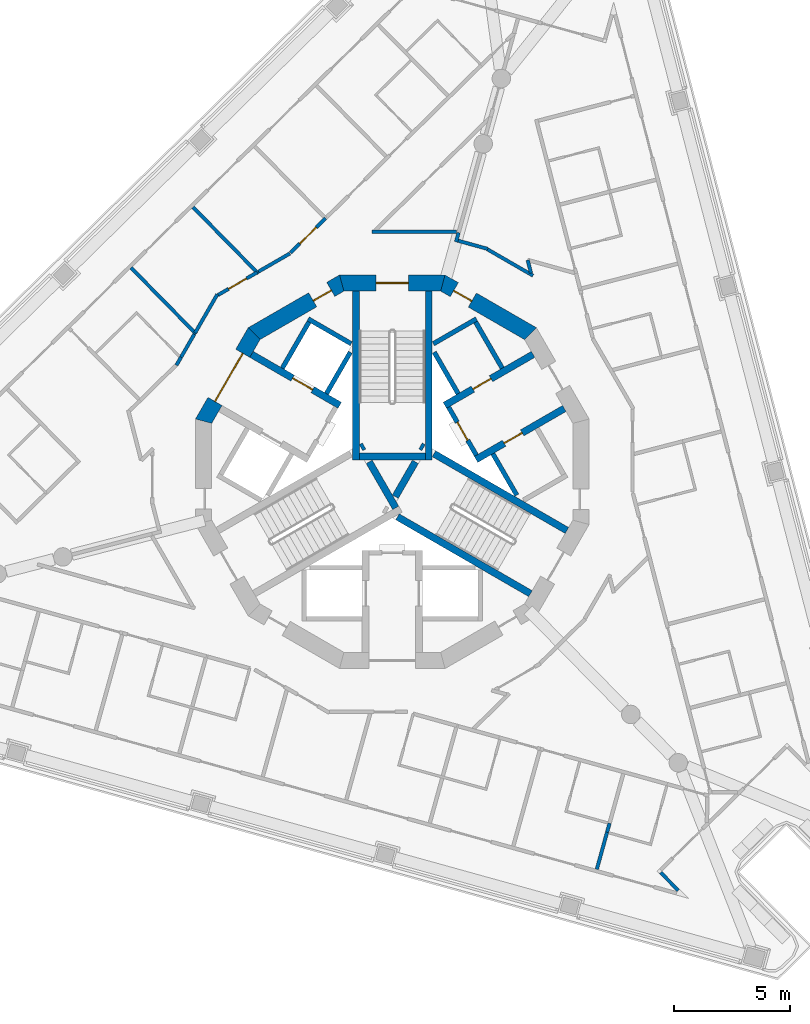
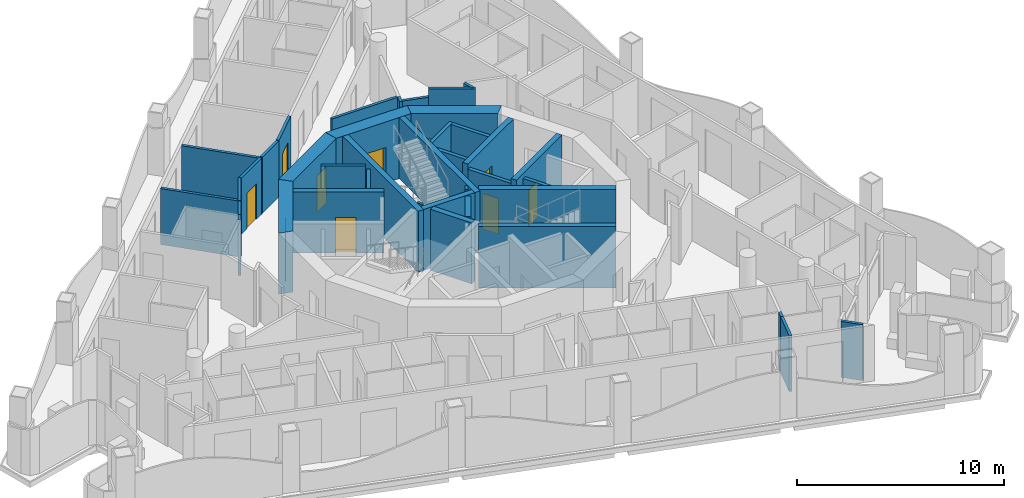
# One storey, part 5 of 15: 40 walls, 10 doors, 10 openings.
"""IFC4 building model written with IfcOpenShell, lengths in metres."""

from ifc_helpers import new_model, si_unit, direction, frame, frame_2d, origin, place, context, subcontext, project, spatial, polyline, rectangle, outline, extrude, material, layer, layer_set, type_object, element, fill, save


model = new_model("IFC4")

# Units and contexts
model_context = context("Model", 3, precision=1e-05, world=origin(), true_north=direction((0.0, 1.0)))
body_context = subcontext(model_context, "Body", "Model", "MODEL_VIEW")
ifc_project = project(units=[si_unit("LENGTHUNIT", "METRE"), si_unit("AREAUNIT", "SQUARE_METRE"), si_unit("VOLUMEUNIT", "CUBIC_METRE"), si_unit("PLANEANGLEUNIT", "RADIAN"), si_unit("MASSUNIT", "GRAM", prefix="KILO")], contexts=[model_context])

# Site, building, storey
site_placement = place(None, origin())
site = spatial("IfcSite", under=ifc_project, at=site_placement, CompositionType="ELEMENT")
building_placement = place(site_placement, origin())
building = spatial("IfcBuilding", under=site, at=building_placement, Name="Trine Commons Tower", CompositionType="ELEMENT")
storey_placement = place(building_placement, frame((0.0, 0.0, 260.10009765625)))
storey = spatial("IfcBuildingStorey", under=building, at=storey_placement, Name="L68", CompositionType="ELEMENT", Elevation=260.10009765625)

# Wall
ifc_material_1 = material(Name="Aluminium-framed insulated wall panel", Category="aluminium")
ifc_layer_1 = layer(ifc_material_1, 0.14990234375)
ifc_layer_set_1 = layer_set([ifc_layer_1], Name="Aluminium-framed insulated wall panel")
wall_type_1 = type_object("IfcWallType", Name="Glazed frame wall 150, EI 60", PredefinedType="SOLIDWALL", material=ifc_layer_set_1)
wall_1_placement = place(storey_placement, frame((91.510498046875, 45.2724609375, 0.0), z_axis=(0.0, 0.0, 1.0), x_axis=(0.700999978355, -0.71316129336, 0.0)))
element("IfcWall", 1, at=wall_1_placement, inside=storey, type_object=wall_type_1, Name="Glazed frame wall R8", PredefinedType="SOLIDWALL", context=body_context, shape_type="SweptSolid", body=[
    extrude(outline(polyline([(0.110107421875, 0.074951171875), (0.110107421875, -0.074951171875), (1.19580078125, -0.074951171875), (1.19580078125, 0.074951171875), (0.110107421875, 0.074951171875)])), origin(), (0.0, 0.0, 1.0), 3.2998046875),
])

# Wall, opening, door
ifc_material_2 = material(Name="Fire-rated gypsum shaft wall system")
ifc_layer_2 = layer(ifc_material_2, 0.199951171875)
ifc_layer_set_2 = layer_set([ifc_layer_2], Name="Fire-rated gypsum shaft wall system")
wall_type_2 = type_object("IfcWallType", Name="Lobby end wall 200 mm, EI 120", PredefinedType="PARTITIONING", material=ifc_layer_set_2)
wall_2_placement = place(storey_placement, frame((83.631103515625, 63.2109375, 0.0), z_axis=(0.0, 0.0, 1.0), x_axis=(-0.50012165622, 0.865955154139, 0.0)))
wall_2 = element("IfcWall", 2, at=wall_2_placement, inside=storey, type_object=wall_type_2, Name="Lobby end wall L68", PredefinedType="PARTITIONING", context=body_context, shape_type="SweptSolid", body=[
    extrude(rectangle(XDim=2.39990234375, YDim=0.199951171875, at=frame_2d((1.199951171875, 0.0))), origin(), (0.0, 0.0, 1.0), 3.2998046875),
])
opening_1_placement = place(wall_2_placement, frame((0.749755859375, 0.0, 0.0)))
opening_1 = element("IfcOpeningElement", 3, at=opening_1_placement, cuts=wall_2, Name="Opening K16.05", PredefinedType="OPENING", context=body_context, shape_type="SweptSolid", body=[
    extrude(rectangle(XDim=0.89990234375, YDim=2.10009765625, at=frame_2d((0.449951171875, 1.050048828125))), frame((0.0, 0.10986328125, 0.0), z_axis=(0.0, -1.0, 0.0), x_axis=(1.0, 0.0, 0.0)), (0.0, 0.0, 1.0), 0.219970703125),
])
ifc_material_3 = material(Name="Steel door leaf, fire-rated", Category="steel")
door_type_1 = type_object("IfcDoorType", Name="Riser access door, single leaf 900 x 2100, FD60", OperationType="SINGLE_SWING_LEFT", PredefinedType="DOOR", material=ifc_material_3)
door_1_placement = place(opening_1_placement, frame((0.89990234375, 0.0, 0.0), z_axis=(0.0, 0.0, 1.0), x_axis=(-1.0, 0.0, 0.0)))
door_1 = element("IfcDoor", 4, at=door_1_placement, inside=storey, type_object=door_type_1, Name="Riser door, Electrical riser L68", OperationType="SINGLE_SWING_LEFT", OverallHeight=2.10009765625, OverallWidth=0.89990234375, PredefinedType="DOOR", context=body_context, shape_type="SweptSolid", body=[
    extrude(rectangle(XDim=0.89990234375, YDim=2.10009765625, at=frame_2d((0.449951171875, 1.050048828125))), frame((0.0, 0.02490234375, 0.0), z_axis=(0.0, -1.0, 0.0), x_axis=(1.0, 0.0, 0.0)), (0.0, 0.0, 1.0), 0.050048828125),
])
fill(opening_1, door_1)

ifc_material_4 = material(Name="Concrete C50/60", Category="concrete")
ifc_layer_3 = layer(ifc_material_4, 0.300048828125)
ifc_layer_set_3 = layer_set([ifc_layer_3], Name="Concrete C50/60")
wall_type_3 = type_object("IfcWallType", Name="RC shear wall 300 mm, C50/60", PredefinedType="SHEAR", material=ifc_layer_set_3)
wall_3_placement = place(storey_placement, frame((77.73095703125, 65.368896484375, 0.0), z_axis=(0.0, 0.0, 1.0), x_axis=(-0.866035918664, 0.499981787252, 0.0)))
wall_3 = element("IfcWall", 5, at=wall_3_placement, inside=storey, type_object=wall_type_3, Name="Core cross wall SWC-02 L68", PredefinedType="SHEAR", context=body_context, shape_type="SweptSolid", body=[
    extrude(rectangle(XDim=4.400634765625, YDim=0.300048828125, at=frame_2d((2.2001953125, 0.0))), origin(), (0.0, 0.0, 1.0), 3.599853515625),
])
opening_2_placement = place(wall_3_placement, frame((1.3505859375, 0.0, 0.0)))
opening_2 = element("IfcOpeningElement", 6, at=opening_2_placement, cuts=wall_3, Name="Opening LD8", PredefinedType="OPENING", context=body_context, shape_type="SweptSolid", body=[
    extrude(rectangle(XDim=1.0, YDim=2.10009765625, at=frame_2d((0.5, 1.050048828125))), frame((0.0, 0.159912109375, 0.0), z_axis=(0.0, -1.0, 0.0), x_axis=(1.0, 0.0, 0.0)), (0.0, 0.0, 1.0), 0.320068359375),
])
ifc_material_5 = material(Name="Stainless steel sliding door leaves", Category="steel")
door_type_2 = type_object("IfcDoorType", Name="Lift landing door, centre-opening sliding 1000 x 2100, FD90", OperationType="DOUBLE_DOOR_SLIDING", PredefinedType="DOOR", material=ifc_material_5)
door_2_placement = place(opening_2_placement, origin())
door_2 = element("IfcDoor", 7, at=door_2_placement, inside=storey, type_object=door_type_2, Name="Lift landing door HR4 L68", OperationType="DOUBLE_DOOR_SLIDING", OverallHeight=2.10009765625, OverallWidth=1.0, PredefinedType="DOOR", context=body_context, shape_type="SweptSolid", body=[
    extrude(rectangle(XDim=1.0, YDim=2.10009765625, at=frame_2d((0.5, 1.050048828125))), frame((0.0, 0.02490234375, 0.0), z_axis=(0.0, -1.0, 0.0), x_axis=(1.0, 0.0, 0.0)), (0.0, 0.0, 1.0), 0.050048828125),
])
fill(opening_2, door_2)

wall_4_placement = place(storey_placement, frame((82.26904296875, 65.368896484375, 0.0), z_axis=(0.0, 0.0, 1.0), x_axis=(0.866035918664, 0.499981787252, 0.0)))
wall_4 = element("IfcWall", 8, at=wall_4_placement, inside=storey, type_object=wall_type_3, Name="Core cross wall SWC-05 L68", PredefinedType="SHEAR", context=body_context, shape_type="SweptSolid", body=[
    extrude(rectangle(XDim=4.400634765625, YDim=0.300048828125, at=frame_2d((2.2001953125, 0.0))), origin(), (0.0, 0.0, 1.0), 3.599853515625),
])
opening_3_placement = place(wall_4_placement, frame((1.400390625, 0.0, 0.0)))
opening_3 = element("IfcOpeningElement", 9, at=opening_3_placement, cuts=wall_4, Name="Opening K16.10", PredefinedType="OPENING", context=body_context, shape_type="SweptSolid", body=[
    extrude(rectangle(XDim=0.89990234375, YDim=2.10009765625, at=frame_2d((0.449951171875, 1.050048828125))), frame((0.0, 0.159912109375, 0.0), z_axis=(0.0, -1.0, 0.0), x_axis=(1.0, 0.0, 0.0)), (0.0, 0.0, 1.0), 0.320068359375),
])
door_type_3 = type_object("IfcDoorType", Name="Core room door, single leaf 900 x 2100, FD30S", OperationType="SINGLE_SWING_LEFT", PredefinedType="DOOR", material=ifc_material_3)
door_3_placement = place(opening_3_placement, origin())
door_3 = element("IfcDoor", 10, at=door_3_placement, inside=storey, type_object=door_type_3, Name="Door to Comms room L68", OperationType="SINGLE_SWING_LEFT", OverallHeight=2.10009765625, OverallWidth=0.89990234375, PredefinedType="DOOR", context=body_context, shape_type="SweptSolid", body=[
    extrude(rectangle(XDim=0.89990234375, YDim=2.10009765625, at=frame_2d((0.449951171875, 1.050048828125))), frame((0.0, 0.02490234375, 0.0), z_axis=(0.0, -1.0, 0.0), x_axis=(1.0, 0.0, 0.0)), (0.0, 0.0, 1.0), 0.050048828125),
])
fill(opening_3, door_3)

wall_5_placement = place(storey_placement, frame((83.618896484375, 63.031005859375, 0.0), z_axis=(0.0, 0.0, 1.0), x_axis=(0.866059941101, 0.499940174841, 0.0)))
wall_5 = element("IfcWall", 11, at=wall_5_placement, inside=storey, type_object=wall_type_3, Name="Core cross wall SWC-06 L68", PredefinedType="SHEAR", context=body_context, shape_type="SweptSolid", body=[
    extrude(rectangle(XDim=4.400390625, YDim=0.300048828125, at=frame_2d((2.2001953125, 0.0))), origin(), (0.0, 0.0, 1.0), 3.599853515625),
])
opening_4_placement = place(wall_5_placement, frame((1.400390625, 0.0, 0.0)))
opening_4 = element("IfcOpeningElement", 12, at=opening_4_placement, cuts=wall_5, Name="Opening K16.11", PredefinedType="OPENING", context=body_context, shape_type="SweptSolid", body=[
    extrude(rectangle(XDim=0.89990234375, YDim=2.10009765625, at=frame_2d((0.449951171875, 1.050048828125))), frame((0.0, 0.159912109375, 0.0), z_axis=(0.0, -1.0, 0.0), x_axis=(1.0, 0.0, 0.0)), (0.0, 0.0, 1.0), 0.320068359375),
])
door_4_placement = place(opening_4_placement, frame((0.89990234375, 0.0, 0.0), z_axis=(0.0, 0.0, 1.0), x_axis=(-1.0, 0.0, 0.0)))
door_4 = element("IfcDoor", 13, at=door_4_placement, inside=storey, type_object=door_type_3, Name="Door to Parcel store L68", OperationType="SINGLE_SWING_LEFT", OverallHeight=2.10009765625, OverallWidth=0.89990234375, PredefinedType="DOOR", context=body_context, shape_type="SweptSolid", body=[
    extrude(rectangle(XDim=0.89990234375, YDim=2.10009765625, at=frame_2d((0.449951171875, 1.050048828125))), frame((0.0, 0.02490234375, 0.0), z_axis=(0.0, -1.0, 0.0), x_axis=(1.0, 0.0, 0.0)), (0.0, 0.0, 1.0), 0.050048828125),
])
fill(opening_4, door_4)

# Walls
wall_6_placement = place(storey_placement, frame((78.425048828125, 63.0009765625, 0.0), z_axis=(0.0, 0.0, 1.0), x_axis=(0.0, 1.0, 0.0)))
element("IfcWall", 14, at=wall_6_placement, inside=storey, type_object=wall_type_3, Name="Core cross wall SWC-08 L68", PredefinedType="SHEAR", context=body_context, shape_type="SweptSolid", body=[
    extrude(rectangle(XDim=7.299072265625, YDim=0.300048828125, at=frame_2d((3.6494140625, 0.0))), origin(), (0.0, 0.0, 1.0), 3.599853515625),
])
wall_7_placement = place(storey_placement, frame((78.779052734375, 63.614013671875, 0.0), z_axis=(0.0, 0.0, 1.0), x_axis=(-0.867737973955, -0.497021939713, 0.0)))
element("IfcWall", 15, at=wall_7_placement, inside=storey, type_object=wall_type_3, Name="Core cross wall SWC-09 L68", PredefinedType="SHEAR", context=body_context, shape_type="SweptSolid", body=[
    extrude(rectangle(XDim=0.14892578125, YDim=0.300048828125, at=frame_2d((0.074462890625, 0.0))), origin(), (0.0, 0.0, 1.0), 3.599853515625),
])
wall_8_placement = place(storey_placement, frame((79.0029296875, 62.926025390625, 0.0), z_axis=(0.0, 0.0, 1.0), x_axis=(0.499965247104, -0.866045467449, 0.0)))
element("IfcWall", 16, at=wall_8_placement, inside=storey, type_object=wall_type_3, Name="Core cross wall SWC-10 L68", PredefinedType="SHEAR", context=body_context, shape_type="SweptSolid", body=[
    extrude(rectangle(XDim=2.292236328125, YDim=0.300048828125, at=frame_2d((1.14599609375, 0.0))), origin(), (0.0, 0.0, 1.0), 3.599853515625),
])
wall_9_placement = place(storey_placement, frame((80.1298828125, 61.424072265625, 0.0), z_axis=(0.0, 0.0, 1.0), x_axis=(0.500014901547, 0.866016800201, 0.0)))
element("IfcWall", 17, at=wall_9_placement, inside=storey, type_object=wall_type_3, Name="Core cross wall SWC-12 L68", PredefinedType="SHEAR", context=body_context, shape_type="SweptSolid", body=[
    extrude(rectangle(XDim=1.734375, YDim=0.300048828125, at=frame_2d((0.8671875, 0.0))), origin(), (0.0, 0.0, 1.0), 3.599853515625),
])
wall_10_placement = place(storey_placement, frame((80.22509765625, 60.552001953125, 0.0), z_axis=(0.0, 0.0, 1.0), x_axis=(0.866009627307, -0.500027324665, 0.0)))
element("IfcWall", 18, at=wall_10_placement, inside=storey, type_object=wall_type_3, Name="Core cross wall SWC-13 L68", PredefinedType="SHEAR", context=body_context, shape_type="SweptSolid", body=[
    extrude(rectangle(XDim=6.631591796875, YDim=0.300048828125, at=frame_2d((3.31591796875, 0.0))), origin(), (0.0, 0.0, 1.0), 3.599853515625),
])
wall_11_placement = place(storey_placement, frame((81.220947265625, 63.614013671875, 0.0), z_axis=(0.0, 0.0, 1.0), x_axis=(0.867737973955, -0.497021939713, 0.0)))
element("IfcWall", 19, at=wall_11_placement, inside=storey, type_object=wall_type_3, Name="Core cross wall SWC-15 L68", PredefinedType="SHEAR", context=body_context, shape_type="SweptSolid", body=[
    extrude(rectangle(XDim=0.14892578125, YDim=0.300048828125, at=frame_2d((0.074462890625, 0.0))), origin(), (0.0, 0.0, 1.0), 3.599853515625),
])
wall_12_placement = place(storey_placement, frame((81.425048828125, 63.15087890625, 0.0), z_axis=(0.0, 0.0, 1.0), x_axis=(-1.0, 0.0, 0.0)))
element("IfcWall", 20, at=wall_12_placement, inside=storey, type_object=wall_type_3, Name="Core cross wall SWC-16 L68", PredefinedType="SHEAR", context=body_context, shape_type="SweptSolid", body=[
    extrude(rectangle(XDim=2.85009765625, YDim=0.300048828125, at=frame_2d((1.425048828125, 0.0))), origin(), (0.0, 0.0, 1.0), 3.599853515625),
])
wall_13_placement = place(storey_placement, frame((81.574951171875, 63.0009765625, 0.0), z_axis=(0.0, 0.0, 1.0), x_axis=(0.0, 1.0, 0.0)))
element("IfcWall", 21, at=wall_13_placement, inside=storey, type_object=wall_type_3, Name="Core cross wall SWC-17 L68", PredefinedType="SHEAR", context=body_context, shape_type="SweptSolid", body=[
    extrude(rectangle(XDim=7.299072265625, YDim=0.300048828125, at=frame_2d((3.6494140625, 0.0))), origin(), (0.0, 0.0, 1.0), 3.599853515625),
])
wall_14_placement = place(storey_placement, frame((81.800048828125, 63.280029296875, 0.0), z_axis=(0.0, 0.0, 1.0), x_axis=(0.866009627307, -0.500027324665, 0.0)))
element("IfcWall", 22, at=wall_14_placement, inside=storey, type_object=wall_type_3, Name="Core cross wall SWC-18 L68", PredefinedType="SHEAR", context=body_context, shape_type="SweptSolid", body=[
    extrude(rectangle(XDim=6.631591796875, YDim=0.300048828125, at=frame_2d((3.31591796875, 0.0))), origin(), (0.0, 0.0, 1.0), 3.599853515625),
])

# Wall, opening, door
ifc_layer_4 = layer(ifc_material_4, 0.699951171875)
ifc_layer_set_4 = layer_set([ifc_layer_4], Name="Concrete C50/60")
wall_type_4 = type_object("IfcWallType", Name="RC shear wall 700 mm, C50/60", PredefinedType="SHEAR", material=ifc_layer_set_4)
wall_15_placement = place(storey_placement, frame((86.047607421875, 68.41943359375, 0.0), z_axis=(0.0, 0.0, 1.0), x_axis=(-0.866034756103, 0.499983800959, 0.0)))
wall_15 = element("IfcWall", 23, at=wall_15_placement, inside=storey, type_object=wall_type_4, Name="Core wall CWG-03 L68", PredefinedType="SHEAR", context=body_context, shape_type="SweptSolid", body=[
    extrude(outline(polyline([(0.0, -0.35009765625), (4.55517578125, -0.35009765625), (4.36767578125, 0.35009765625), (0.1875, 0.35009765625), (0.0, -0.35009765625)])), origin(), (0.0, 0.0, 1.0), 3.599853515625),
])
opening_5_placement = place(wall_15_placement, frame((2.990966796875, 0.0, 0.0)))
opening_5 = element("IfcOpeningElement", 24, at=opening_5_placement, cuts=wall_15, Name="Opening K16.12", PredefinedType="OPENING", context=body_context, shape_type="SweptSolid", body=[
    extrude(rectangle(XDim=0.89990234375, YDim=2.10009765625, at=frame_2d((0.449951171875, 1.050048828125))), frame((0.0, 0.35986328125, 0.0), z_axis=(0.0, -1.0, 0.0), x_axis=(1.0, 0.0, 0.0)), (0.0, 0.0, 1.0), 0.719970703125),
])
door_5_placement = place(opening_5_placement, origin())
door_5 = element("IfcDoor", 25, at=door_5_placement, inside=storey, type_object=door_type_3, Name="Door to Core WC L68", OperationType="SINGLE_SWING_RIGHT", OverallHeight=2.10009765625, OverallWidth=0.89990234375, PredefinedType="DOOR", context=body_context, shape_type="SweptSolid", body=[
    extrude(rectangle(XDim=0.89990234375, YDim=2.10009765625, at=frame_2d((0.449951171875, 1.050048828125))), frame((0.0, 0.0751953125, 0.0), z_axis=(0.0, -1.0, 0.0), x_axis=(1.0, 0.0, 0.0)), (0.0, 0.0, 1.0), 0.050048828125),
])
fill(opening_5, door_5)

wall_16_placement = place(storey_placement, frame((82.277587890625, 70.650146484375, 0.0), z_axis=(0.0, 0.0, 1.0), x_axis=(-1.0, 0.0, 0.0)))
wall_16 = element("IfcWall", 26, at=wall_16_placement, inside=storey, type_object=wall_type_4, Name="Core wall CWG-04 L68", PredefinedType="SHEAR", context=body_context, shape_type="SweptSolid", body=[
    extrude(outline(polyline([(0.0, -0.35009765625), (4.55517578125, -0.35009765625), (4.36767578125, 0.35009765625), (0.1875, 0.35009765625), (0.0, -0.35009765625)])), origin(), (0.0, 0.0, 1.0), 3.599853515625),
])
opening_6_placement = place(wall_16_placement, frame((1.57763671875, 0.0, 0.0)))
opening_6 = element("IfcOpeningElement", 27, at=opening_6_placement, cuts=wall_16, Name="Opening K16.01", PredefinedType="OPENING", context=body_context, shape_type="SweptSolid", body=[
    extrude(rectangle(XDim=1.39990234375, YDim=2.10009765625, at=frame_2d((0.699951171875, 1.050048828125))), frame((0.0, 0.35986328125, 0.0), z_axis=(0.0, -1.0, 0.0), x_axis=(1.0, 0.0, 0.0)), (0.0, 0.0, 1.0), 0.719970703125),
])
ifc_material_6 = material(Name="Steel door leaves, fire-rated", Category="steel")
door_type_4 = type_object("IfcDoorType", Name="Stair door, double leaf 1400 x 2100, FD90", OperationType="DOUBLE_DOOR_SINGLE_SWING", PredefinedType="DOOR", material=ifc_material_6)
door_6_placement = place(opening_6_placement, origin())
door_6 = element("IfcDoor", 28, at=door_6_placement, inside=storey, type_object=door_type_4, Name="Stair door to Exit stair ST1C L68", OperationType="DOUBLE_DOOR_SINGLE_SWING", OverallHeight=2.10009765625, OverallWidth=1.39990234375, PredefinedType="DOOR", context=body_context, shape_type="SweptSolid", body=[
    extrude(rectangle(XDim=1.39990234375, YDim=2.10009765625, at=frame_2d((0.699951171875, 1.050048828125))), frame((0.0, 0.02490234375, 0.0), z_axis=(0.0, -1.0, 0.0), x_axis=(1.0, 0.0, 0.0)), (0.0, 0.0, 1.0), 0.050048828125),
])
fill(opening_6, door_6)

wall_17_placement = place(storey_placement, frame((77.8974609375, 70.697021484375, 0.0), z_axis=(0.0, 0.0, 1.0), x_axis=(-0.866034756103, -0.499983800959, 0.0)))
wall_17 = element("IfcWall", 29, at=wall_17_placement, inside=storey, type_object=wall_type_4, Name="Core wall CWG-05 L68", PredefinedType="SHEAR", context=body_context, shape_type="SweptSolid", body=[
    extrude(outline(polyline([(0.0, -0.35009765625), (4.55517578125, -0.35009765625), (4.36767578125, 0.35009765625), (0.1875, 0.35009765625), (0.0, -0.35009765625)])), origin(), (0.0, 0.0, 1.0), 3.599853515625),
])
opening_7_placement = place(wall_17_placement, frame((0.641845703125, 0.0, 0.0)))
opening_7 = element("IfcOpeningElement", 30, at=opening_7_placement, cuts=wall_17, Name="Opening K16.13", PredefinedType="OPENING", context=body_context, shape_type="SweptSolid", body=[
    extrude(rectangle(XDim=0.89990234375, YDim=2.10009765625, at=frame_2d((0.449951171875, 1.050048828125))), frame((0.0, 0.35986328125, 0.0), z_axis=(0.0, -1.0, 0.0), x_axis=(1.0, 0.0, 0.0)), (0.0, 0.0, 1.0), 0.719970703125),
])
door_7_placement = place(opening_7_placement, origin())
door_7 = element("IfcDoor", 31, at=door_7_placement, inside=storey, type_object=door_type_3, Name="Door to Accessible WC L68", OperationType="SINGLE_SWING_LEFT", OverallHeight=2.10009765625, OverallWidth=0.89990234375, PredefinedType="DOOR", context=body_context, shape_type="SweptSolid", body=[
    extrude(rectangle(XDim=0.89990234375, YDim=2.10009765625, at=frame_2d((0.449951171875, 1.050048828125))), frame((0.0, 0.0751953125, 0.0), z_axis=(0.0, -1.0, 0.0), x_axis=(1.0, 0.0, 0.0)), (0.0, 0.0, 1.0), 0.050048828125),
])
fill(opening_7, door_7)

wall_18_placement = place(storey_placement, frame((74.08056640625, 68.547607421875, 0.0), z_axis=(0.0, 0.0, 1.0), x_axis=(-0.499983800959, -0.866034756103, 0.0)))
wall_18 = element("IfcWall", 32, at=wall_18_placement, inside=storey, type_object=wall_type_4, Name="Core wall CWG-06 L68", PredefinedType="SHEAR", context=body_context, shape_type="SweptSolid", body=[
    extrude(outline(polyline([(0.0, -0.35009765625), (4.55517578125, -0.35009765625), (4.36767578125, 0.35009765625), (0.1875, 0.35009765625), (0.0, -0.35009765625)])), origin(), (0.0, 0.0, 1.0), 3.599853515625),
])
opening_8_placement = place(wall_18_placement, frame((1.077392578125, 0.0, 0.0)))
opening_8 = element("IfcOpeningElement", 33, at=opening_8_placement, cuts=wall_18, Name="Opening K16.06", PredefinedType="OPENING", context=body_context, shape_type="SweptSolid", body=[
    extrude(rectangle(XDim=2.39990234375, YDim=2.10009765625, at=frame_2d((1.199951171875, 1.050048828125))), frame((0.0, 0.35986328125, 0.0), z_axis=(0.0, -1.0, 0.0), x_axis=(1.0, 0.0, 0.0)), (0.0, 0.0, 1.0), 0.719970703125),
])
door_type_5 = type_object("IfcDoorType", Name="Lobby door, double leaf 2400 x 2100, FD60", OperationType="DOUBLE_DOOR_SINGLE_SWING", PredefinedType="DOOR", material=ifc_material_6)
door_8_placement = place(opening_8_placement, origin())
door_8 = element("IfcDoor", 34, at=door_8_placement, inside=storey, type_object=door_type_5, Name="Lobby door, Passenger lift lobby B L68", OperationType="DOUBLE_DOOR_SINGLE_SWING", OverallHeight=2.10009765625, OverallWidth=2.39990234375, PredefinedType="DOOR", context=body_context, shape_type="SweptSolid", body=[
    extrude(rectangle(XDim=2.39990234375, YDim=2.10009765625, at=frame_2d((1.199951171875, 1.050048828125))), frame((0.0, 0.02490234375, 0.0), z_axis=(0.0, -1.0, 0.0), x_axis=(1.0, 0.0, 0.0)), (0.0, 0.0, 1.0), 0.050048828125),
])
fill(opening_8, door_8)

# Walls
ifc_layer_5 = layer(ifc_material_2, 0.199951171875)
ifc_layer_set_5 = layer_set([ifc_layer_5], Name="Fire-rated gypsum shaft wall system")
wall_type_5 = type_object("IfcWallType", Name="Shaft wall 200 mm, EI 120", PredefinedType="PARTITIONING", material=ifc_layer_set_5)
wall_19_placement = place(storey_placement, frame((75.2509765625, 66.97412109375, 0.0), z_axis=(0.0, 0.0, 1.0), x_axis=(0.500136062276, 0.86594683394, 0.0)))
element("IfcWall", 35, at=wall_19_placement, inside=storey, type_object=wall_type_5, Name="Shaft wall L68", PredefinedType="PARTITIONING", context=body_context, shape_type="SweptSolid", body=[
    extrude(rectangle(XDim=2.299072265625, YDim=0.199951171875, at=frame_2d((1.1494140625, 0.0))), origin(), (0.0, 0.0, 1.0), 3.2998046875),
])
wall_20_placement = place(storey_placement, frame((77.156005859375, 65.8740234375, 0.0), z_axis=(0.0, 0.0, 1.0), x_axis=(0.499865770674, 0.866102887253, 0.0)))
element("IfcWall", 36, at=wall_20_placement, inside=storey, type_object=wall_type_5, Name="Shaft wall L68", PredefinedType="PARTITIONING", context=body_context, shape_type="SweptSolid", body=[
    extrude(rectangle(XDim=2.064453125, YDim=0.199951171875, at=frame_2d((1.0322265625, 0.0))), origin(), (0.0, 0.0, 1.0), 3.2998046875),
])
for number, where, z_axis, x_axis, name in (
    (37, (78.22509765625, 68.028076171875, 0.0), (0.0, 0.0, 1.0), (-0.866130725101, 0.499817533742, 0.0), "Shaft wall L68"),
    (38, (81.77490234375, 68.028076171875, 0.0), (0.0, 0.0, 1.0), (0.866130725101, 0.499817533742, 0.0), "Shaft wall L68"),
):
    element("IfcWall", number, at=place(storey_placement, frame(where, z_axis=z_axis, x_axis=x_axis)), inside=storey, type_object=wall_type_5, Name=name, PredefinedType="PARTITIONING", context=body_context, shape_type="SweptSolid", body=[
        extrude(rectangle(XDim=2.148681640625, YDim=0.199951171875, at=frame_2d((1.07421875, 0.0))), origin(), (0.0, 0.0, 1.0), 3.2998046875),
    ])
wall_21_placement = place(storey_placement, frame((82.843994140625, 65.8740234375, 0.0), z_axis=(0.0, 0.0, 1.0), x_axis=(-0.499865770674, 0.866102887253, 0.0)))
element("IfcWall", 39, at=wall_21_placement, inside=storey, type_object=wall_type_5, Name="Shaft wall L68", PredefinedType="PARTITIONING", context=body_context, shape_type="SweptSolid", body=[
    extrude(rectangle(XDim=2.064453125, YDim=0.199951171875, at=frame_2d((1.0322265625, 0.0))), origin(), (0.0, 0.0, 1.0), 3.2998046875),
])
wall_22_placement = place(storey_placement, frame((84.343994140625, 63.27587890625, 0.0), z_axis=(0.0, 0.0, 1.0), x_axis=(0.500271688072, -0.86586848777, 0.0)))
element("IfcWall", 40, at=wall_22_placement, inside=storey, type_object=wall_type_5, Name="Shaft wall L68", PredefinedType="PARTITIONING", context=body_context, shape_type="SweptSolid", body=[
    extrude(rectangle(XDim=2.064697265625, YDim=0.199951171875, at=frame_2d((1.0322265625, 0.0))), origin(), (0.0, 0.0, 1.0), 3.2998046875),
])
wall_23_placement = place(storey_placement, frame((84.7490234375, 66.97412109375, 0.0), z_axis=(0.0, 0.0, 1.0), x_axis=(-0.500136062276, 0.86594683394, 0.0)))
element("IfcWall", 41, at=wall_23_placement, inside=storey, type_object=wall_type_5, Name="Shaft wall L68", PredefinedType="PARTITIONING", context=body_context, shape_type="SweptSolid", body=[
    extrude(rectangle(XDim=2.299072265625, YDim=0.199951171875, at=frame_2d((1.1494140625, 0.0))), origin(), (0.0, 0.0, 1.0), 3.2998046875),
])
ifc_material_7 = material(Name="Gypsum plasterboard on steel stud", Category="steel")
ifc_layer_6 = layer(ifc_material_7, 0.14990234375)
ifc_layer_set_6 = layer_set([ifc_layer_6], Name="Gypsum plasterboard on steel stud")
wall_type_6 = type_object("IfcWallType", Name="Unit and corridor wall 150 mm, EI 60", PredefinedType="PARTITIONING", material=ifc_layer_set_6)
wall_24_placement = place(storey_placement, frame((68.720947265625, 71.3076171875, 0.0), z_axis=(0.0, 0.0, 1.0), x_axis=(0.700815785944, -0.713342298039, 0.0)))
element("IfcWall", 42, at=wall_24_placement, inside=storey, type_object=wall_type_6, Name="Partition 024", PredefinedType="PARTITIONING", context=body_context, shape_type="SweptSolid", body=[
    extrude(rectangle(XDim=4.014892578125, YDim=0.14990234375, at=frame_2d((2.00732421875, 0.0))), origin(), (0.0, 0.0, 1.0), 3.2998046875),
])
wall_25_placement = place(storey_placement, frame((70.67578125, 67.101806640625, 0.0), z_axis=(0.0, 0.0, 1.0), x_axis=(0.500795801589, 0.865565459749, 0.0)))
element("IfcWall", 43, at=wall_25_placement, inside=storey, type_object=wall_type_6, Name="Partition 035", PredefinedType="PARTITIONING", context=body_context, shape_type="SweptSolid", body=[
    extrude(rectangle(XDim=0.400146484375, YDim=0.14990234375, at=frame_2d((0.2001953125, 0.0))), origin(), (0.0, 0.0, 1.0), 3.2998046875),
])
wall_26_placement = place(storey_placement, frame((70.8359375, 67.378662109375, 0.0), z_axis=(0.0, 0.0, 1.0), x_axis=(0.500074377092, 0.865982457891, 0.0)))
element("IfcWall", 44, at=wall_26_placement, inside=storey, type_object=wall_type_6, Name="Partition 037", PredefinedType="PARTITIONING", context=body_context, shape_type="SweptSolid", body=[
    extrude(rectangle(XDim=1.220947265625, YDim=0.14990234375, at=frame_2d((0.6103515625, 0.0))), origin(), (0.0, 0.0, 1.0), 3.2998046875),
])
wall_27_placement = place(storey_placement, frame((71.389892578125, 73.931396484375, 0.0), z_axis=(0.0, 0.0, 1.0), x_axis=(0.700963396894, -0.713197249164, 0.0)))
element("IfcWall", 45, at=wall_27_placement, inside=storey, type_object=wall_type_6, Name="Partition 039", PredefinedType="PARTITIONING", context=body_context, shape_type="SweptSolid", body=[
    extrude(rectangle(XDim=4.03125, YDim=0.14990234375, at=frame_2d((2.015625, 0.0))), origin(), (0.0, 0.0, 1.0), 3.2998046875),
])
wall_28_placement = place(storey_placement, frame((71.47998046875, 68.493896484375, 0.0), z_axis=(0.0, 0.0, 1.0), x_axis=(0.500205717672, 0.865906600049, 0.0)))
element("IfcWall", 46, at=wall_28_placement, inside=storey, type_object=wall_type_6, Name="Partition 040", PredefinedType="PARTITIONING", context=body_context, shape_type="SweptSolid", body=[
    extrude(rectangle(XDim=1.924072265625, YDim=0.14990234375, at=frame_2d((0.9619140625, 0.0))), origin(), (0.0, 0.0, 1.0), 3.2998046875),
])

# Wall, opening, door
wall_29_placement = place(storey_placement, frame((72.469970703125, 70.132568359375, 0.0), z_axis=(0.0, 0.0, 1.0), x_axis=(0.865963449651, 0.500107292357, 0.0)))
wall_29 = element("IfcWall", 47, at=wall_29_placement, inside=storey, type_object=wall_type_6, Name="Partition 042", PredefinedType="PARTITIONING", context=body_context, shape_type="SweptSolid", body=[
    extrude(rectangle(XDim=1.95849609375, YDim=0.14990234375, at=frame_2d((0.979248046875, 0.0))), origin(), (0.0, 0.0, 1.0), 3.2998046875),
])
opening_9_placement = place(wall_29_placement, frame((0.527587890625, 0.0, 0.0)))
opening_9 = element("IfcOpeningElement", 48, at=opening_9_placement, cuts=wall_29, Name="Opening D-7C06", PredefinedType="OPENING", context=body_context, shape_type="SweptSolid", body=[
    extrude(rectangle(XDim=0.89990234375, YDim=2.10009765625, at=frame_2d((0.449951171875, 1.050048828125))), frame((0.0, 0.0849609375, 0.0), z_axis=(0.0, -1.0, 0.0), x_axis=(1.0, 0.0, 0.0)), (0.0, 0.0, 1.0), 0.169921875),
])
ifc_material_8 = material(Name="Timber fire door set", Category="wood")
door_type_6 = type_object("IfcDoorType", Name="Service door 900 x 2100, FD30S", OperationType="NOTDEFINED", PredefinedType="DOOR", material=ifc_material_8)
door_9_placement = place(opening_9_placement, origin())
door_9 = element("IfcDoor", 49, at=door_9_placement, inside=storey, type_object=door_type_6, Name="Door D-7C06", OperationType="SINGLE_SWING_LEFT", OverallHeight=2.10009765625, OverallWidth=0.89990234375, PredefinedType="DOOR", context=body_context, shape_type="SweptSolid", body=[
    extrude(rectangle(XDim=0.89990234375, YDim=2.10009765625, at=frame_2d((0.449951171875, 1.050048828125))), frame((0.0, 0.02490234375, 0.0), z_axis=(0.0, -1.0, 0.0), x_axis=(1.0, 0.0, 0.0)), (0.0, 0.0, 1.0), 0.050048828125),
])
fill(opening_9, door_9)

# Wall
wall_30_placement = place(storey_placement, frame((74.22412109375, 71.1455078125, 0.0), z_axis=(0.0, 0.0, 1.0), x_axis=(0.866052944554, 0.499952294954, 0.0)))
element("IfcWall", 50, at=wall_30_placement, inside=storey, type_object=wall_type_6, Name="Partition 046", PredefinedType="PARTITIONING", context=body_context, shape_type="SweptSolid", body=[
    extrude(rectangle(XDim=1.563232421875, YDim=0.14990234375, at=frame_2d((0.78173828125, 0.0))), origin(), (0.0, 0.0, 1.0), 3.2998046875),
])

# Wall, opening, door
wall_31_placement = place(storey_placement, frame((75.60498046875, 71.9599609375, 0.0), z_axis=(0.0, 0.0, 1.0), x_axis=(0.713406050761, 0.70075088779, 0.0)))
wall_31 = element("IfcWall", 51, at=wall_31_placement, inside=storey, type_object=wall_type_6, Name="Partition 048", PredefinedType="PARTITIONING", context=body_context, shape_type="SweptSolid", body=[
    extrude(rectangle(XDim=2.1220703125, YDim=0.14990234375, at=frame_2d((1.06103515625, 0.0))), origin(), (0.0, 0.0, 1.0), 3.2998046875),
])
opening_10_placement = place(wall_31_placement, frame((0.559326171875, 0.0, 0.0)))
opening_10 = element("IfcOpeningElement", 52, at=opening_10_placement, cuts=wall_31, Name="Opening D-7C07", PredefinedType="OPENING", context=body_context, shape_type="SweptSolid", body=[
    extrude(rectangle(XDim=1.0, YDim=2.10009765625, at=frame_2d((0.5, 1.050048828125))), frame((0.0, 0.0849609375, 0.0), z_axis=(0.0, -1.0, 0.0), x_axis=(1.0, 0.0, 0.0)), (0.0, 0.0, 1.0), 0.169921875),
])
ifc_material_9 = material(Name="Painted timber", Category="wood")
door_type_7 = type_object("IfcDoorType", Name="Amenity room door 1000 x 2100, NOT RATED", OperationType="NOTDEFINED", PredefinedType="DOOR", material=ifc_material_9)
door_10_placement = place(opening_10_placement, origin())
door_10 = element("IfcDoor", 53, at=door_10_placement, inside=storey, type_object=door_type_7, Name="Door D-7C07", OperationType="SINGLE_SWING_LEFT", OverallHeight=2.10009765625, OverallWidth=1.0, PredefinedType="DOOR", context=body_context, shape_type="SweptSolid", body=[
    extrude(rectangle(XDim=1.0, YDim=2.10009765625, at=frame_2d((0.5, 1.050048828125))), frame((0.0, 0.02490234375, 0.0), z_axis=(0.0, -1.0, 0.0), x_axis=(1.0, 0.0, 0.0)), (0.0, 0.0, 1.0), 0.050048828125),
])
fill(opening_10, door_10)

# Walls
wall_32_placement = place(storey_placement, frame((79.133056640625, 72.875, 0.0), z_axis=(0.0, 0.0, 1.0), x_axis=(1.0, 0.0, 0.0)))
element("IfcWall", 54, at=wall_32_placement, inside=storey, type_object=wall_type_6, Name="Partition 053", PredefinedType="PARTITIONING", context=body_context, shape_type="SweptSolid", body=[
    extrude(rectangle(XDim=3.64697265625, YDim=0.14990234375, at=frame_2d((1.823486328125, 0.0))), origin(), (0.0, 0.0, 1.0), 2.7998046875),
])
wall_33_placement = place(storey_placement, frame((82.7529296875, 72.42578125, 0.0), z_axis=(0.0, 0.0, 1.0), x_axis=(0.266887464326, 0.96372770085, 0.0)))
element("IfcWall", 55, at=wall_33_placement, inside=storey, type_object=wall_type_6, Name="Partition 065", PredefinedType="PARTITIONING", context=body_context, shape_type="SweptSolid", body=[
    extrude(rectangle(XDim=0.416259765625, YDim=0.14990234375, at=frame_2d((0.2080078125, 0.0))), origin(), (0.0, 0.0, 1.0), 2.7998046875),
])
wall_34_placement = place(storey_placement, frame((82.84521484375, 72.477783203125, 0.0), z_axis=(0.0, 0.0, 1.0), x_axis=(0.963623826389, -0.267262270467, 0.0)))
element("IfcWall", 56, at=wall_34_placement, inside=storey, type_object=wall_type_6, Name="Partition 066", PredefinedType="PARTITIONING", context=body_context, shape_type="SweptSolid", body=[
    extrude(rectangle(XDim=1.320068359375, YDim=0.14990234375, at=frame_2d((0.66015625, 0.0))), origin(), (0.0, 0.0, 1.0), 2.7998046875),
])
wall_35_placement = place(storey_placement, frame((84.10986328125, 72.107421875, 0.0), z_axis=(0.0, 0.0, 1.0), x_axis=(0.865965412825, -0.500103892997, 0.0)))
element("IfcWall", 57, at=wall_35_placement, inside=storey, type_object=wall_type_6, Name="Partition 071", PredefinedType="PARTITIONING", context=body_context, shape_type="SweptSolid", body=[
    extrude(rectangle(XDim=2.271484375, YDim=0.14990234375, at=frame_2d((1.1357421875, 0.0))), origin(), (0.0, 0.0, 1.0), 3.2998046875),
])
wall_36_placement = place(storey_placement, frame((85.847900390625, 71.64208984375, 0.0), z_axis=(0.0, 0.0, 1.0), x_axis=(0.250859734684, -0.968023446779, 0.0)))
element("IfcWall", 58, at=wall_36_placement, inside=storey, type_object=wall_type_6, Name="Partition 079", PredefinedType="PARTITIONING", context=body_context, shape_type="SweptSolid", body=[
    extrude(rectangle(XDim=0.5791015625, YDim=0.14990234375, at=frame_2d((0.28955078125, 0.0))), origin(), (0.0, 0.0, 1.0), 3.2998046875),
])
wall_37_placement = place(storey_placement, frame((88.832763671875, 45.327392578125, 0.0), z_axis=(0.0, 0.0, 1.0), x_axis=(0.266961047932, 0.963707320138, 0.0)))
element("IfcWall", 59, at=wall_37_placement, inside=storey, type_object=wall_type_6, Name="Partition 097", PredefinedType="PARTITIONING", context=body_context, shape_type="SweptSolid", body=[
    extrude(rectangle(XDim=1.659912109375, YDim=0.14990234375, at=frame_2d((0.830078125, 0.0))), origin(), (0.0, 0.0, 1.0), 3.2998046875),
])
wall_38_placement = place(storey_placement, frame((89.27587890625, 46.927001953125, 0.0), z_axis=(0.0, 0.0, 1.0), x_axis=(0.267924588636, 0.963439886451, 0.0)))
element("IfcWall", 60, at=wall_38_placement, inside=storey, type_object=wall_type_6, Name="Partition 099", PredefinedType="PARTITIONING", context=body_context, shape_type="SweptSolid", body=[
    extrude(rectangle(XDim=0.403564453125, YDim=0.14990234375, at=frame_2d((0.20166015625, 0.0))), origin(), (0.0, 0.0, 1.0), 3.2998046875),
])

save(model, "model.ifc")
